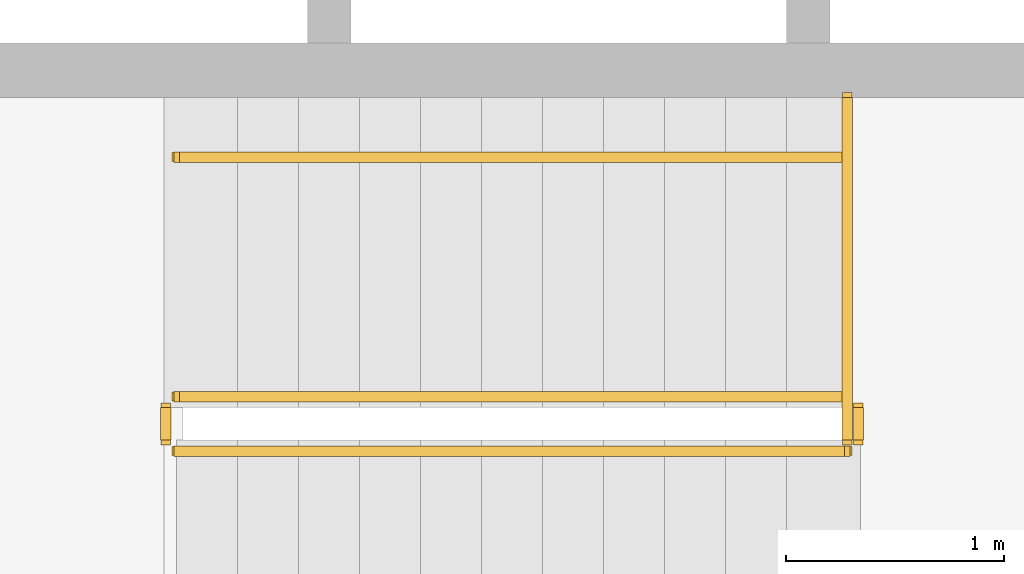
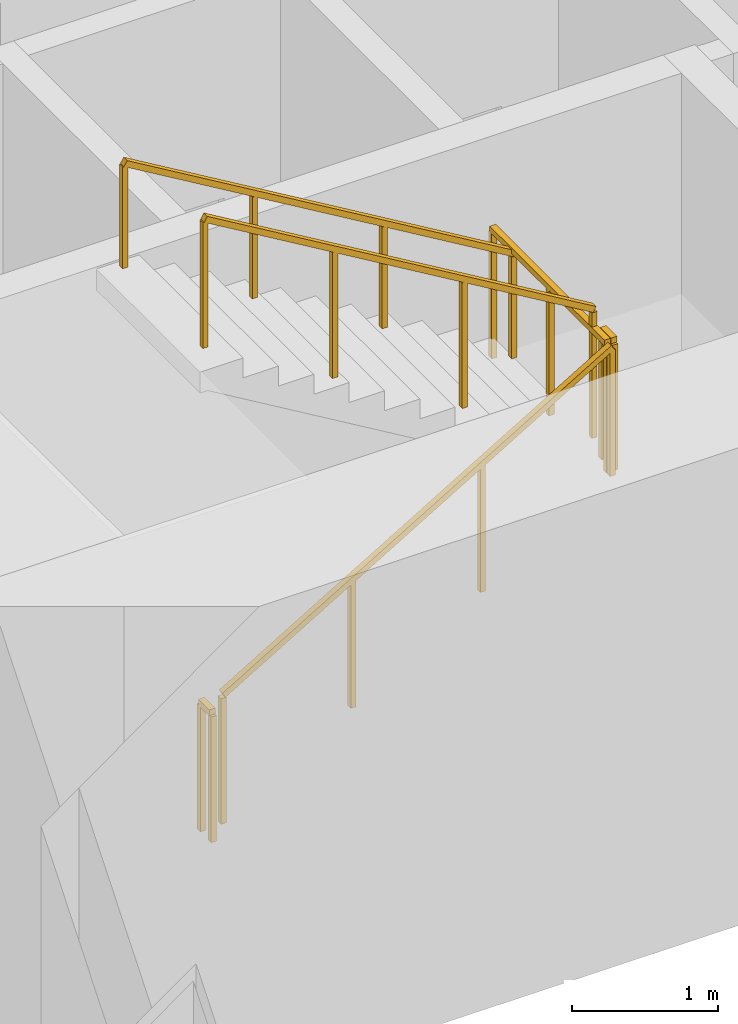
# One storey, part 13 of 16: 6 railings.
"""IFC4 building model written with IfcOpenShell, lengths in metres."""

from ifc_helpers import new_model, si_unit, direction, frame, origin, origin_2d, place, context, subcontext, project, spatial, rectangle, extrude, material, type_object, element, save


model = new_model("IFC4")

# Units and contexts
model_context = context("Model", 3, precision=1e-05, world=origin(), true_north=direction((0.0, 1.0)))
body_context = subcontext(model_context, "Body", "Model", "MODEL_VIEW")
ifc_project = project(units=[si_unit("LENGTHUNIT", "METRE"), si_unit("AREAUNIT", "SQUARE_METRE"), si_unit("VOLUMEUNIT", "CUBIC_METRE"), si_unit("PLANEANGLEUNIT", "RADIAN"), si_unit("MASSUNIT", "GRAM", prefix="KILO")], contexts=[model_context])

# Site, building, storey
site_placement = place(None, origin())
site = spatial("IfcSite", under=ifc_project, at=site_placement, CompositionType="ELEMENT")
building_placement = place(site_placement, origin())
building = spatial("IfcBuilding", under=site, at=building_placement, Name="Sennacour Bend Tower", CompositionType="ELEMENT")
storey_placement = place(building_placement, frame((0.0, 0.0, 123.0)))
storey = spatial("IfcBuildingStorey", under=building, at=storey_placement, Name="L28", CompositionType="ELEMENT", Elevation=123.0)

# Railings
ifc_material = material(Name="Stainless steel", Category="steel")
railing_type_1 = type_object("IfcRailingType", Name="RL-GUARD-1100", PredefinedType="GUARDRAIL", material=ifc_material)
railing_1_placement = place(storey_placement, frame((56.699951171875, 2.449951171875, 0.166748046875)))
element("IfcRailing", 1, at=railing_1_placement, inside=storey, type_object=railing_type_1, Name="L28 SA1 stair guard 1", PredefinedType="GUARDRAIL", context=body_context, shape_type="SweptSolid", body=[
    extrude(rectangle(XDim=0.048095703125, YDim=0.048095703125, at=origin_2d()), frame((0.0, 0.0, 1.076171875), z_axis=(0.859308565015, 0.0, 0.511457515432), x_axis=(0.0, 1.0, 0.0)), (0.0, 0.0, 1.0), 3.58447265625),
    extrude(rectangle(XDim=0.0419921875, YDim=0.0419921875, at=origin_2d()), origin(), (0.0, 0.0, 1.0), 1.052001953125),
    extrude(rectangle(XDim=0.0419921875, YDim=0.0419921875, at=origin_2d()), frame((1.026611328125, 0.0, 0.611083984375)), (0.0, 0.0, 1.0), 1.052001953125),
    extrude(rectangle(XDim=0.0419921875, YDim=0.0419921875, at=origin_2d()), frame((2.053466796875, 0.0, 1.22216796875)), (0.0, 0.0, 1.0), 1.052001953125),
    extrude(rectangle(XDim=0.0419921875, YDim=0.0419921875, at=origin_2d()), frame((3.080078125, 0.0, 1.833251953125)), (0.0, 0.0, 1.0), 1.052001953125),
])
railing_2_placement = place(storey_placement, frame((59.830078125, 2.5, 2.0)))
element("IfcRailing", 2, at=railing_2_placement, inside=storey, type_object=railing_type_1, Name="L28 SA1 stair guard 2", PredefinedType="GUARDRAIL", context=body_context, shape_type="SweptSolid", body=[
    extrude(rectangle(XDim=0.048095703125, YDim=0.048095703125, at=origin_2d()), frame((0.0, 0.0, 1.076171875), z_axis=(0.0, 1.0, 0.0), x_axis=(-1.0, 0.0, 0.0)), (0.0, 0.0, 1.0), 0.14990234375),
    extrude(rectangle(XDim=0.0419921875, YDim=0.0419921875, at=origin_2d()), origin(), (0.0, 0.0, 1.0), 1.052001953125),
    extrude(rectangle(XDim=0.0419921875, YDim=0.0419921875, at=origin_2d()), frame((0.0, 0.14990234375, 0.0)), (0.0, 0.0, 1.0), 1.052001953125),
])
railing_3_placement = place(storey_placement, frame((59.780029296875, 2.699951171875, 2.166748046875)))
element("IfcRailing", 3, at=railing_3_placement, inside=storey, type_object=railing_type_1, Name="L28 SA1 stair guard 4", PredefinedType="GUARDRAIL", context=body_context, shape_type="SweptSolid", body=[
    extrude(rectangle(XDim=0.048095703125, YDim=0.048095703125, at=origin_2d()), frame((0.0, 0.0, 1.076171875), z_axis=(-0.859308565015, 0.0, 0.511457515432), x_axis=(0.0, -1.0, 0.0)), (0.0, 0.0, 1.0), 3.58447265625),
    extrude(rectangle(XDim=0.0419921875, YDim=0.0419921875, at=origin_2d()), origin(), (0.0, 0.0, 1.0), 1.052001953125),
    extrude(rectangle(XDim=0.0419921875, YDim=0.0419921875, at=origin_2d()), frame((-1.026611328125, 0.0, 0.611083984375)), (0.0, 0.0, 1.0), 1.052001953125),
    extrude(rectangle(XDim=0.0419921875, YDim=0.0419921875, at=origin_2d()), frame((-2.053466796875, 0.0, 1.22216796875)), (0.0, 0.0, 1.0), 1.052001953125),
    extrude(rectangle(XDim=0.0419921875, YDim=0.0419921875, at=origin_2d()), frame((-3.080078125, 0.0, 1.833251953125)), (0.0, 0.0, 1.0), 1.052001953125),
])
railing_4_placement = place(storey_placement, frame((56.64990234375, 2.5, 0.0)))
element("IfcRailing", 4, at=railing_4_placement, inside=storey, type_object=railing_type_1, Name="L28 SA1 stair guard 5", PredefinedType="GUARDRAIL", context=body_context, shape_type="SweptSolid", body=[
    extrude(rectangle(XDim=0.048095703125, YDim=0.048095703125, at=origin_2d()), frame((0.0, 0.0, 1.076171875), z_axis=(0.0, 1.0, 0.0), x_axis=(-1.0, 0.0, 0.0)), (0.0, 0.0, 1.0), 0.14990234375),
    extrude(rectangle(XDim=0.0419921875, YDim=0.0419921875, at=origin_2d()), origin(), (0.0, 0.0, 1.0), 1.052001953125),
    extrude(rectangle(XDim=0.0419921875, YDim=0.0419921875, at=origin_2d()), frame((0.0, 0.14990234375, 0.0)), (0.0, 0.0, 1.0), 1.052001953125),
])
railing_5_placement = place(storey_placement, frame((59.780029296875, 2.5, 2.0)))
element("IfcRailing", 5, at=railing_5_placement, inside=storey, type_object=railing_type_1, Name="L28 SA1 landing edge guard 46", PredefinedType="GUARDRAIL", context=body_context, shape_type="SweptSolid", body=[
    extrude(rectangle(XDim=0.048095703125, YDim=0.048095703125, at=origin_2d()), frame((0.0, 0.0, 1.076171875), z_axis=(0.0, 1.0, 0.0), x_axis=(-1.0, 0.0, 0.0)), (0.0, 0.0, 1.0), 1.574951171875),
    extrude(rectangle(XDim=0.0419921875, YDim=0.0419921875, at=origin_2d()), origin(), (0.0, 0.0, 1.0), 1.052001953125),
    extrude(rectangle(XDim=0.0419921875, YDim=0.0419921875, at=origin_2d()), frame((0.0, 0.78759765625, 0.0)), (0.0, 0.0, 1.0), 1.052001953125),
    extrude(rectangle(XDim=0.0419921875, YDim=0.0419921875, at=origin_2d()), frame((0.0, 1.574951171875, 0.0)), (0.0, 0.0, 1.0), 1.052001953125),
])
railing_type_2 = type_object("IfcRailingType", Name="RL-HANDRAIL-900", PredefinedType="HANDRAIL", material=ifc_material)
railing_6_placement = place(storey_placement, frame((59.780029296875, 3.800048828125, 2.166748046875)))
element("IfcRailing", 6, at=railing_6_placement, inside=storey, type_object=railing_type_2, Name="L28 SA1 stair handrail 2", PredefinedType="HANDRAIL", context=body_context, shape_type="SweptSolid", body=[
    extrude(rectangle(XDim=0.048095703125, YDim=0.048095703125, at=origin_2d()), frame((0.0, 0.0, 0.8759765625), z_axis=(-0.859308565015, 0.0, 0.511457515432), x_axis=(0.0, -1.0, 0.0)), (0.0, 0.0, 1.0), 3.58447265625),
    extrude(rectangle(XDim=0.0419921875, YDim=0.0419921875, at=origin_2d()), origin(), (0.0, 0.0, 1.0), 0.851806640625),
    extrude(rectangle(XDim=0.0419921875, YDim=0.0419921875, at=origin_2d()), frame((-1.026611328125, 0.0, 0.611083984375)), (0.0, 0.0, 1.0), 0.851806640625),
    extrude(rectangle(XDim=0.0419921875, YDim=0.0419921875, at=origin_2d()), frame((-2.053466796875, 0.0, 1.22216796875)), (0.0, 0.0, 1.0), 0.851806640625),
    extrude(rectangle(XDim=0.0419921875, YDim=0.0419921875, at=origin_2d()), frame((-3.080078125, 0.0, 1.833251953125)), (0.0, 0.0, 1.0), 0.851806640625),
])

save(model, "model.ifc")
